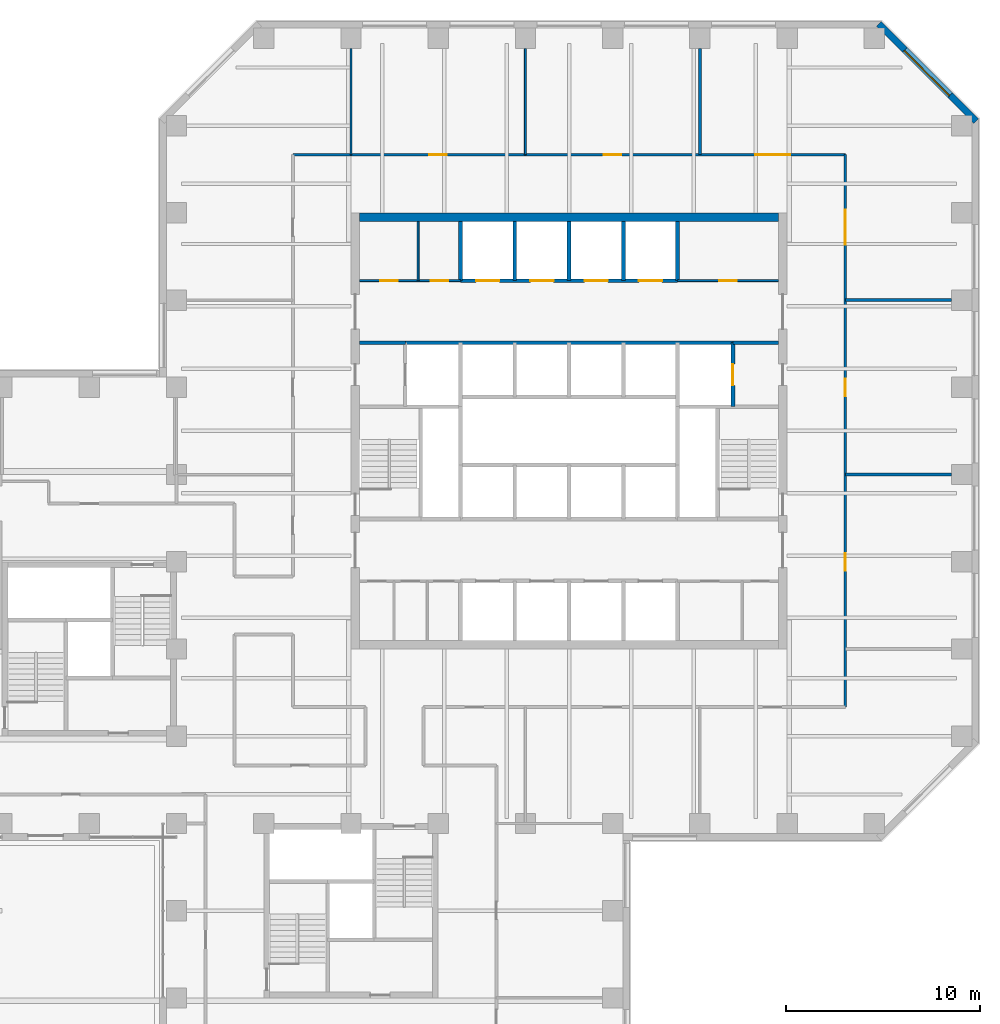
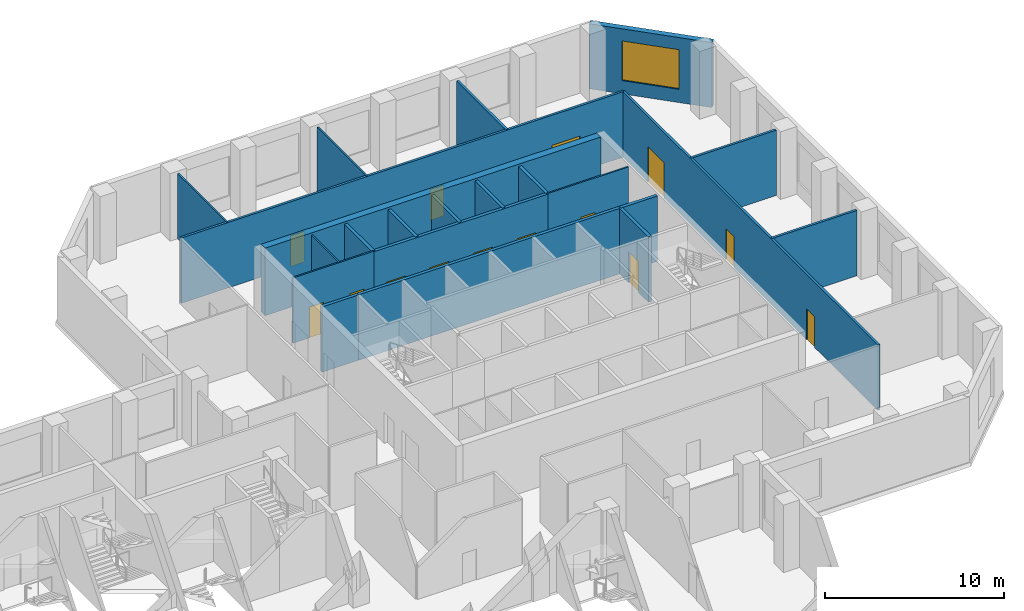
# One storey, part 10 of 14: 22 walls, 14 doors, 1 window, 15 openings.
"""IFC4 building model written with IfcOpenShell, lengths in metres."""

from ifc_helpers import new_model, si_unit, direction, frame, frame_2d, origin, place, context, subcontext, project, spatial, rectangle, extrude, material, layer, layer_set, constituent, constituent_set, type_object, element, fill, save


model = new_model("IFC4")

# Units and contexts
model_context = context("Model", 3, precision=1e-05, world=origin(), true_north=direction((0.0, 1.0)))
body_context = subcontext(model_context, "Body", "Model", "MODEL_VIEW")
ifc_project = project(units=[si_unit("LENGTHUNIT", "METRE"), si_unit("AREAUNIT", "SQUARE_METRE"), si_unit("VOLUMEUNIT", "CUBIC_METRE"), si_unit("PLANEANGLEUNIT", "RADIAN"), si_unit("MASSUNIT", "GRAM", prefix="KILO")], contexts=[model_context])

# Site, building, storey
site_placement = place(None, origin())
site = spatial("IfcSite", under=ifc_project, at=site_placement, CompositionType="ELEMENT")
building_placement = place(site_placement, origin())
building = spatial("IfcBuilding", under=site, at=building_placement, Name="Quoin Convention Tower", CompositionType="ELEMENT")
storey_placement = place(building_placement, frame((0.0, 0.0, 74.300048828125)))
storey = spatial("IfcBuildingStorey", under=building, at=storey_placement, Name="L19", CompositionType="ELEMENT", Elevation=74.300048828125)

# Wall, opening, window
ifc_material_1 = material(Name="Brick masonry", Category="masonry")
ifc_layer_1 = layer(ifc_material_1, 0.35009765625)
ifc_layer_set_1 = layer_set([ifc_layer_1], Name="Brick masonry")
wall_type_1 = type_object("IfcWallType", Name="Brick facade wall", PredefinedType="STANDARD", material=ifc_layer_set_1)
wall_1_placement = place(storey_placement, frame((77.251220703125, 76.73876953125, 0.0), z_axis=(0.0, 0.0, 1.0), x_axis=(-0.707106781187, 0.707106781187, 0.0)))
wall_1 = element("IfcWall", 1, at=wall_1_placement, inside=storey, type_object=wall_type_1, Name="fw-L19-76500_76500", PredefinedType="STANDARD", context=body_context, shape_type="SweptSolid", body=[
    extrude(rectangle(XDim=7.088623046875, YDim=0.35009765625, at=frame_2d((3.54443359375, 0.0))), origin(), (0.0, 0.0, 1.0), 4.425048828125),
])
opening_1_placement = place(wall_1_placement, frame((1.894287109375, 0.0, 0.89990234375)))
opening_1 = element("IfcOpeningElement", 2, at=opening_1_placement, cuts=wall_1, Name="Opening W-03", PredefinedType="OPENING", context=body_context, shape_type="SweptSolid", body=[
    extrude(rectangle(XDim=3.300048828125, YDim=2.699951171875, at=frame_2d((1.64990234375, 1.35009765625))), frame((0.0, 0.18505859375, 0.0), z_axis=(0.0, -1.0, 0.0), x_axis=(1.0, 0.0, 0.0)), (0.0, 0.0, 1.0), 0.3701171875),
])
ifc_material_2 = material(Name="Aluminium", Category="aluminium")
ifc_constituent_1 = constituent(ifc_material_2, Name="Frame")
ifc_material_3 = material(Name="Insulated glass", Category="glass")
ifc_constituent_2 = constituent(ifc_material_3, Name="Glazing")
ifc_constituent_set = constituent_set(constituents=[ifc_constituent_1, ifc_constituent_2], Name="Aluminium")
window_type = type_object("IfcWindowType", Name="Sky lobby window", PartitioningType="DOUBLE_PANEL_VERTICAL", PredefinedType="WINDOW", material=ifc_constituent_set)
window_placement = place(opening_1_placement, origin())
window = element("IfcWindow", 3, at=window_placement, inside=storey, type_object=window_type, Name="win-L19-74745_79245", OverallHeight=2.699951171875, OverallWidth=3.300048828125, PartitioningType="SINGLE_PANEL", PredefinedType="WINDOW", context=body_context, shape_type="SweptSolid", body=[
    extrude(rectangle(XDim=3.300048828125, YDim=2.699951171875, at=frame_2d((1.64990234375, 1.35009765625))), frame((0.0, 0.0849609375, 0.0), z_axis=(0.0, -1.0, 0.0), x_axis=(1.0, 0.0, 0.0)), (0.0, 0.0, 1.0), 0.06005859375),
])
fill(opening_1, window)

# Wall, openings, doors
ifc_material_4 = material(Name="Plasterboard")
ifc_layer_2 = layer(ifc_material_4, 0.012451171875, Name="Finish")
ifc_material_5 = material(Name="Steel stud framing", Category="steel")
ifc_layer_3 = layer(ifc_material_5, 0.074951171875, Name="Structure")
ifc_layer_4 = layer(ifc_material_4, 0.012451171875, Name="Finish")
ifc_layer_set_2 = layer_set([ifc_layer_2, ifc_layer_3, ifc_layer_4], Name="Steel stud framing")
wall_type_2 = type_object("IfcWallType", Name="Core partition wall", PredefinedType="PARTITIONING", material=ifc_layer_set_2)
wall_2_placement = place(storey_placement, frame((45.449951171875, 68.5, 0.0), z_axis=(0.0, 0.0, 1.0), x_axis=(1.0, 0.0, 0.0)))
wall_2 = element("IfcWall", 4, at=wall_2_placement, inside=storey, type_object=wall_type_2, Name="cr-C1-L19-h19000_450", PredefinedType="PARTITIONING", context=body_context, shape_type="SweptSolid", body=[
    extrude(rectangle(XDim=5.199951171875, YDim=0.10009765625, at=frame_2d((2.60009765625, 0.0))), origin(), (0.0, 0.0, 1.0), 4.449951171875),
])
opening_2_placement = place(wall_2_placement, frame((1.05810546875, 0.0, 0.0)))
opening_2 = element("IfcOpeningElement", 5, at=opening_2_placement, cuts=wall_2, Name="Opening DCV1-13", PredefinedType="OPENING", context=body_context, shape_type="SweptSolid", body=[
    extrude(rectangle(XDim=0.89990234375, YDim=2.10009765625, at=frame_2d((0.449951171875, 1.050048828125))), frame((0.0, 0.06005859375, 0.0), z_axis=(0.0, -1.0, 0.0), x_axis=(1.0, 0.0, 0.0)), (0.0, 0.0, 1.0), 0.1201171875),
])
opening_3_placement = place(wall_2_placement, frame((3.657958984375, 0.0, 0.0)))
opening_3 = element("IfcOpeningElement", 6, at=opening_3_placement, cuts=wall_2, Name="Opening DCV1-14", PredefinedType="OPENING", context=body_context, shape_type="SweptSolid", body=[
    extrude(rectangle(XDim=0.89990234375, YDim=2.10009765625, at=frame_2d((0.449951171875, 1.050048828125))), frame((0.0, 0.06005859375, 0.0), z_axis=(0.0, -1.0, 0.0), x_axis=(1.0, 0.0, 0.0)), (0.0, 0.0, 1.0), 0.1201171875),
])
ifc_material_6 = material(Name="Steel door leaf", Category="steel")
door_type_1 = type_object("IfcDoorType", Name="Core room door 900 x 2100", OperationType="SINGLE_SWING_LEFT", PredefinedType="DOOR", material=ifc_material_6)
door_1_placement = place(opening_2_placement, origin())
door_1 = element("IfcDoor", 7, at=door_1_placement, inside=storey, type_object=door_type_1, Name="cd-C1-L19-CNW0-lobB-CD1908", OperationType="SINGLE_SWING_RIGHT", OverallHeight=2.10009765625, OverallWidth=0.89990234375, PredefinedType="DOOR", context=body_context, shape_type="SweptSolid", body=[
    extrude(rectangle(XDim=0.89990234375, YDim=2.10009765625, at=frame_2d((0.449951171875, 1.050048828125))), frame((0.0, 0.02490234375, 0.0), z_axis=(0.0, -1.0, 0.0), x_axis=(1.0, 0.0, 0.0)), (0.0, 0.0, 1.0), 0.050048828125),
])
fill(opening_2, door_1)
door_2_placement = place(opening_3_placement, origin())
door_2 = element("IfcDoor", 8, at=door_2_placement, inside=storey, type_object=door_type_1, Name="cd-C1-L19-CNW1-lobB-CD1909", OperationType="SINGLE_SWING_RIGHT", OverallHeight=2.10009765625, OverallWidth=0.89990234375, PredefinedType="DOOR", context=body_context, shape_type="SweptSolid", body=[
    extrude(rectangle(XDim=0.89990234375, YDim=2.10009765625, at=frame_2d((0.449951171875, 1.050048828125))), frame((0.0, 0.02490234375, 0.0), z_axis=(0.0, -1.0, 0.0), x_axis=(1.0, 0.0, 0.0)), (0.0, 0.0, 1.0), 0.050048828125),
])
fill(opening_3, door_2)

# Wall, opening, door
wall_3_placement = place(storey_placement, frame((61.85009765625, 68.5, 0.0), z_axis=(0.0, 0.0, 1.0), x_axis=(1.0, 0.0, 0.0)))
wall_3 = element("IfcWall", 9, at=wall_3_placement, inside=storey, type_object=wall_type_2, Name="cr-C1-L19-h19000_16850", PredefinedType="PARTITIONING", context=body_context, shape_type="SweptSolid", body=[
    extrude(rectangle(XDim=5.199951171875, YDim=0.10009765625, at=frame_2d((2.60009765625, 0.0))), origin(), (0.0, 0.0, 1.0), 4.449951171875),
])
opening_4_placement = place(wall_3_placement, frame((2.14990234375, 0.0, 0.0)))
opening_4 = element("IfcOpeningElement", 10, at=opening_4_placement, cuts=wall_3, Name="Opening DCV1-03", PredefinedType="OPENING", context=body_context, shape_type="SweptSolid", body=[
    extrude(rectangle(XDim=0.89990234375, YDim=2.10009765625, at=frame_2d((0.449951171875, 1.050048828125))), frame((0.0, 0.06005859375, 0.0), z_axis=(0.0, -1.0, 0.0), x_axis=(1.0, 0.0, 0.0)), (0.0, 0.0, 1.0), 0.1201171875),
])
door_3_placement = place(opening_4_placement, origin())
door_3 = element("IfcDoor", 11, at=door_3_placement, inside=storey, type_object=door_type_1, Name="cd-C1-L19-CNE0-lobB-CD1907", OperationType="SINGLE_SWING_LEFT", OverallHeight=2.10009765625, OverallWidth=0.89990234375, PredefinedType="DOOR", context=body_context, shape_type="SweptSolid", body=[
    extrude(rectangle(XDim=0.89990234375, YDim=2.10009765625, at=frame_2d((0.449951171875, 1.050048828125))), frame((0.0, 0.02490234375, 0.0), z_axis=(0.0, -1.0, 0.0), x_axis=(1.0, 0.0, 0.0)), (0.0, 0.0, 1.0), 0.050048828125),
])
fill(opening_4, door_3)

# Walls
wall_4_placement = place(storey_placement, frame((48.466064453125, 68.5, 0.0), z_axis=(0.0, 0.0, 1.0), x_axis=(0.0, 1.0, 0.0)))
element("IfcWall", 12, at=wall_4_placement, inside=storey, type_object=wall_type_2, Name="cr-C1-L19-v3466_19000", PredefinedType="PARTITIONING", context=body_context, shape_type="SweptSolid", body=[
    extrude(rectangle(XDim=3.050048828125, YDim=0.10009765625, at=frame_2d((1.52490234375, 0.0))), origin(), (0.0, 0.0, 1.0), 4.449951171875),
])
ifc_material_7 = material(Name="Concrete C50", Category="concrete")
ifc_layer_5 = layer(ifc_material_7, 0.199951171875)
ifc_layer_set_3 = layer_set([ifc_layer_5], Name="Concrete C50")
wall_type_3 = type_object("IfcWallType", Name="Core shaft wall", PredefinedType="SOLIDWALL", material=ifc_layer_set_3)
for number, where, z_axis, x_axis, name in (
    (13, (45.449951171875, 65.300048828125, 0.0), (0.0, 0.0, 1.0), (1.0, 0.0, 0.0), "cr-C1-L19-h15800_450"),
    (14, (64.699951171875, 65.300048828125, 0.0), (0.0, 0.0, 1.0), (1.0, 0.0, 0.0), "cr-C1-L19-h15800_19700"),
):
    element("IfcWall", number, at=place(storey_placement, frame(where, z_axis=z_axis, x_axis=x_axis)), inside=storey, type_object=wall_type_3, Name=name, PredefinedType="SOLIDWALL", context=body_context, shape_type="SweptSolid", body=[
        extrude(rectangle(XDim=2.35009765625, YDim=0.199951171875, at=frame_2d((1.175048828125, 0.0))), origin(), (0.0, 0.0, 1.0), 4.449951171875),
    ])
wall_5_placement = place(storey_placement, frame((47.800048828125, 65.300048828125, 0.0), z_axis=(0.0, 0.0, 1.0), x_axis=(1.0, 0.0, 0.0)))
element("IfcWall", 15, at=wall_5_placement, inside=storey, type_object=wall_type_3, Name="cr-C1-L19-h15800_2800", PredefinedType="SOLIDWALL", context=body_context, shape_type="SweptSolid", body=[
    extrude(rectangle(XDim=16.89990234375, YDim=0.199951171875, at=frame_2d((8.449951171875, 0.0))), origin(), (0.0, 0.0, 1.0), 4.449951171875),
])

# Wall, openings, doors
wall_6_placement = place(storey_placement, frame((50.64990234375, 68.5, 0.0), z_axis=(0.0, 0.0, 1.0), x_axis=(1.0, 0.0, 0.0)))
wall_6 = element("IfcWall", 16, at=wall_6_placement, inside=storey, type_object=wall_type_3, Name="cr-C1-L19-h19000_5650", PredefinedType="SOLIDWALL", context=body_context, shape_type="SweptSolid", body=[
    extrude(rectangle(XDim=11.2001953125, YDim=0.199951171875, at=frame_2d((5.60009765625, 0.0))), origin(), (0.0, 0.0, 1.0), 4.449951171875),
])
opening_5_placement = place(wall_6_placement, frame((0.800048828125, 0.0, 0.0)))
opening_5 = element("IfcOpeningElement", 17, at=opening_5_placement, cuts=wall_6, Name="Opening LDL5", PredefinedType="OPENING", context=body_context, shape_type="SweptSolid", body=[
    extrude(rectangle(XDim=1.199951171875, YDim=2.10009765625, at=frame_2d((0.60009765625, 1.050048828125))), frame((0.0, 0.10986328125, 0.0), z_axis=(0.0, -1.0, 0.0), x_axis=(1.0, 0.0, 0.0)), (0.0, 0.0, 1.0), 0.219970703125),
])
opening_6_placement = place(wall_6_placement, frame((3.60009765625, 0.0, 0.0)))
opening_6 = element("IfcOpeningElement", 18, at=opening_6_placement, cuts=wall_6, Name="Opening LDL6", PredefinedType="OPENING", context=body_context, shape_type="SweptSolid", body=[
    extrude(rectangle(XDim=1.199951171875, YDim=2.10009765625, at=frame_2d((0.60009765625, 1.050048828125))), frame((0.0, 0.10986328125, 0.0), z_axis=(0.0, -1.0, 0.0), x_axis=(1.0, 0.0, 0.0)), (0.0, 0.0, 1.0), 0.219970703125),
])
opening_7_placement = place(wall_6_placement, frame((6.39990234375, 0.0, 0.0)))
opening_7 = element("IfcOpeningElement", 19, at=opening_7_placement, cuts=wall_6, Name="Opening LDL7", PredefinedType="OPENING", context=body_context, shape_type="SweptSolid", body=[
    extrude(rectangle(XDim=1.199951171875, YDim=2.10009765625, at=frame_2d((0.60009765625, 1.050048828125))), frame((0.0, 0.10986328125, 0.0), z_axis=(0.0, -1.0, 0.0), x_axis=(1.0, 0.0, 0.0)), (0.0, 0.0, 1.0), 0.219970703125),
])
opening_8_placement = place(wall_6_placement, frame((9.199951171875, 0.0, 0.0)))
opening_8 = element("IfcOpeningElement", 20, at=opening_8_placement, cuts=wall_6, Name="Opening LDL8", PredefinedType="OPENING", context=body_context, shape_type="SweptSolid", body=[
    extrude(rectangle(XDim=1.199951171875, YDim=2.10009765625, at=frame_2d((0.60009765625, 1.050048828125))), frame((0.0, 0.10986328125, 0.0), z_axis=(0.0, -1.0, 0.0), x_axis=(1.0, 0.0, 0.0)), (0.0, 0.0, 1.0), 0.219970703125),
])
door_type_2 = type_object("IfcDoorType", Name="Lift landing door 1200 x 2100", OperationType="DOUBLE_DOOR_SLIDING", PredefinedType="DOOR", material=ifc_material_6)
door_4_placement = place(opening_5_placement, origin())
door_4 = element("IfcDoor", 21, at=door_4_placement, inside=storey, type_object=door_type_2, Name="cd-C1-L19-R40-lobB-LDL5", OperationType="DOUBLE_DOOR_SLIDING", OverallHeight=2.10009765625, OverallWidth=1.199951171875, PredefinedType="DOOR", context=body_context, shape_type="SweptSolid", body=[
    extrude(rectangle(XDim=1.199951171875, YDim=2.10009765625, at=frame_2d((0.60009765625, 1.050048828125))), frame((0.0, 0.02490234375, 0.0), z_axis=(0.0, -1.0, 0.0), x_axis=(1.0, 0.0, 0.0)), (0.0, 0.0, 1.0), 0.050048828125),
])
fill(opening_5, door_4)
door_5_placement = place(opening_6_placement, origin())
door_5 = element("IfcDoor", 22, at=door_5_placement, inside=storey, type_object=door_type_2, Name="cd-C1-L19-R41-lobB-LDL6", OperationType="DOUBLE_DOOR_SLIDING", OverallHeight=2.10009765625, OverallWidth=1.199951171875, PredefinedType="DOOR", context=body_context, shape_type="SweptSolid", body=[
    extrude(rectangle(XDim=1.199951171875, YDim=2.10009765625, at=frame_2d((0.60009765625, 1.050048828125))), frame((0.0, 0.02490234375, 0.0), z_axis=(0.0, -1.0, 0.0), x_axis=(1.0, 0.0, 0.0)), (0.0, 0.0, 1.0), 0.050048828125),
])
fill(opening_6, door_5)
door_6_placement = place(opening_7_placement, origin())
door_6 = element("IfcDoor", 23, at=door_6_placement, inside=storey, type_object=door_type_2, Name="cd-C1-L19-R42-lobB-LDL7", OperationType="DOUBLE_DOOR_SLIDING", OverallHeight=2.10009765625, OverallWidth=1.199951171875, PredefinedType="DOOR", context=body_context, shape_type="SweptSolid", body=[
    extrude(rectangle(XDim=1.199951171875, YDim=2.10009765625, at=frame_2d((0.60009765625, 1.050048828125))), frame((0.0, 0.02490234375, 0.0), z_axis=(0.0, -1.0, 0.0), x_axis=(1.0, 0.0, 0.0)), (0.0, 0.0, 1.0), 0.050048828125),
])
fill(opening_7, door_6)
door_7_placement = place(opening_8_placement, origin())
door_7 = element("IfcDoor", 24, at=door_7_placement, inside=storey, type_object=door_type_2, Name="cd-C1-L19-R43-lobB-LDL8", OperationType="DOUBLE_DOOR_SLIDING", OverallHeight=2.10009765625, OverallWidth=1.199951171875, PredefinedType="DOOR", context=body_context, shape_type="SweptSolid", body=[
    extrude(rectangle(XDim=1.199951171875, YDim=2.10009765625, at=frame_2d((0.60009765625, 1.050048828125))), frame((0.0, 0.02490234375, 0.0), z_axis=(0.0, -1.0, 0.0), x_axis=(1.0, 0.0, 0.0)), (0.0, 0.0, 1.0), 0.050048828125),
])
fill(opening_8, door_7)

# Walls
for number, where, z_axis, x_axis, name in (
    (25, (50.64990234375, 68.5, 0.0), (0.0, 0.0, 1.0), (0.0, 1.0, 0.0), "cr-C1-L19-v5650_19000"),
    (26, (53.449951171875, 68.5, 0.0), (0.0, 0.0, 1.0), (0.0, 1.0, 0.0), "cr-C1-L19-v8450_19000"),
    (27, (56.25, 68.5, 0.0), (0.0, 0.0, 1.0), (0.0, 1.0, 0.0), "cr-C1-L19-v11250_19000"),
    (28, (59.050048828125, 68.5, 0.0), (0.0, 0.0, 1.0), (0.0, 1.0, 0.0), "cr-C1-L19-v14050_19000"),
    (29, (61.85009765625, 68.5, 0.0), (0.0, 0.0, 1.0), (0.0, 1.0, 0.0), "cr-C1-L19-v16850_19000"),
):
    element("IfcWall", number, at=place(storey_placement, frame(where, z_axis=z_axis, x_axis=x_axis)), inside=storey, type_object=wall_type_3, Name=name, PredefinedType="SOLIDWALL", context=body_context, shape_type="SweptSolid", body=[
        extrude(rectangle(XDim=3.050048828125, YDim=0.199951171875, at=frame_2d((1.52490234375, 0.0))), origin(), (0.0, 0.0, 1.0), 4.449951171875),
    ])

# Wall, opening, door
wall_7_placement = place(storey_placement, frame((64.699951171875, 62.0, 0.0), z_axis=(0.0, 0.0, 1.0), x_axis=(0.0, 1.0, 0.0)))
wall_7 = element("IfcWall", 30, at=wall_7_placement, inside=storey, type_object=wall_type_3, Name="cr-C1-L19-v19700_12500", PredefinedType="SOLIDWALL", context=body_context, shape_type="SweptSolid", body=[
    extrude(rectangle(XDim=3.300048828125, YDim=0.199951171875, at=frame_2d((1.64990234375, 0.0))), origin(), (0.0, 0.0, 1.0), 4.449951171875),
])
opening_9_placement = place(wall_7_placement, frame((1.10009765625, 0.0, 0.0)))
opening_9 = element("IfcOpeningElement", 31, at=opening_9_placement, cuts=wall_7, Name="Opening LDFL2", PredefinedType="OPENING", context=body_context, shape_type="SweptSolid", body=[
    extrude(rectangle(XDim=1.10009765625, YDim=2.10009765625, at=frame_2d((0.550048828125, 1.050048828125))), frame((0.0, 0.10986328125, 0.0), z_axis=(0.0, -1.0, 0.0), x_axis=(1.0, 0.0, 0.0)), (0.0, 0.0, 1.0), 0.219970703125),
])
door_type_3 = type_object("IfcDoorType", Name="Lift landing door 1100 x 2100", OperationType="DOUBLE_DOOR_SLIDING", PredefinedType="DOOR", material=ifc_material_6)
door_8_placement = place(opening_9_placement, origin())
door_8 = element("IfcDoor", 32, at=door_8_placement, inside=storey, type_object=door_type_3, Name="cd-C1-L19-FLE-FFE-LDFL2", OperationType="DOUBLE_DOOR_SLIDING", OverallHeight=2.10009765625, OverallWidth=1.10009765625, PredefinedType="DOOR", context=body_context, shape_type="SweptSolid", body=[
    extrude(rectangle(XDim=1.10009765625, YDim=2.10009765625, at=frame_2d((0.550048828125, 1.050048828125))), frame((0.0, 0.02490234375, 0.0), z_axis=(0.0, -1.0, 0.0), x_axis=(1.0, 0.0, 0.0)), (0.0, 0.0, 1.0), 0.050048828125),
])
fill(opening_9, door_8)

# Walls
ifc_material_8 = material(Name="Concrete C65", Category="concrete")
ifc_layer_6 = layer(ifc_material_8, 0.449951171875)
ifc_layer_set_4 = layer_set([ifc_layer_6], Name="Concrete C65")
wall_type_4 = type_object("IfcWallType", Name="RC CORE WALL 450 C65", PredefinedType="SHEAR", material=ifc_layer_set_4)
wall_8_placement = place(storey_placement, frame((45.449951171875, 71.77490234375, 0.0), z_axis=(0.0, 0.0, 1.0), x_axis=(1.0, 0.0, 0.0)))
element("IfcWall", 33, at=wall_8_placement, inside=storey, type_object=wall_type_4, Name="cwl-C1-L19-N", PredefinedType="SHEAR", context=body_context, shape_type="SweptSolid", body=[
    extrude(rectangle(XDim=21.60009765625, YDim=0.449951171875, at=frame_2d((10.800048828125, 0.0))), origin(), (0.0, 0.0, 1.0), 4.599853515625),
])
ifc_layer_7 = layer(ifc_material_4, 0.012451171875, Name="Finish")
ifc_layer_8 = layer(ifc_material_5, 0.074951171875, Name="Structure")
ifc_layer_9 = layer(ifc_material_4, 0.012451171875, Name="Finish")
ifc_layer_set_5 = layer_set([ifc_layer_7, ifc_layer_8, ifc_layer_9], Name="Steel stud framing")
wall_type_5 = type_object("IfcWallType", Name="bathroom partition", PredefinedType="PARTITIONING", material=ifc_layer_set_5)
for number, where, z_axis, x_axis, name in (
    (34, (45.0, 75.0, 0.0), (0.0, 0.0, 1.0), (0.0, 1.0, 0.0), "pw-L19-008"),
    (35, (54.0, 75.0, 0.0), (0.0, 0.0, 1.0), (0.0, 1.0, 0.0), "pw-L19-009"),
):
    element("IfcWall", number, at=place(storey_placement, frame(where, z_axis=z_axis, x_axis=x_axis)), inside=storey, type_object=wall_type_5, Name=name, PredefinedType="PARTITIONING", context=body_context, shape_type="SweptSolid", body=[
        extrude(rectangle(XDim=5.47509765625, YDim=0.10009765625, at=frame_2d((2.737548828125, 0.0))), origin(), (0.0, 0.0, 1.0), 4.449951171875),
    ])

# Wall, openings, doors
ifc_layer_10 = layer(ifc_material_4, 0.012451171875, Name="Finish")
ifc_layer_11 = layer(ifc_material_5, 0.125, Name="Structure")
ifc_layer_12 = layer(ifc_material_4, 0.012451171875, Name="Finish")
ifc_layer_set_6 = layer_set([ifc_layer_10, ifc_layer_11, ifc_layer_12], Name="Steel stud framing")
wall_type_6 = type_object("IfcWallType", Name="corridor partition", PredefinedType="PARTITIONING", material=ifc_layer_set_6)
wall_9_placement = place(storey_placement, frame((70.5, 46.5, 0.0), z_axis=(0.0, 0.0, 1.0), x_axis=(0.0, 1.0, 0.0)))
wall_9 = element("IfcWall", 36, at=wall_9_placement, inside=storey, type_object=wall_type_6, Name="pw-L19-023", PredefinedType="PARTITIONING", context=body_context, shape_type="SweptSolid", body=[
    extrude(rectangle(XDim=28.5, YDim=0.14990234375, at=frame_2d((14.25, 0.0))), origin(), (0.0, 0.0, 1.0), 4.449951171875),
])
opening_10_placement = place(wall_9_placement, frame((7.050048828125, 0.0, 0.0)))
opening_10 = element("IfcOpeningElement", 37, at=opening_10_placement, cuts=wall_9, Name="Opening DSKY-19-10", PredefinedType="OPENING", context=body_context, shape_type="SweptSolid", body=[
    extrude(rectangle(XDim=0.89990234375, YDim=2.10009765625, at=frame_2d((0.449951171875, 1.050048828125))), frame((0.0, 0.0849609375, 0.0), z_axis=(0.0, -1.0, 0.0), x_axis=(1.0, 0.0, 0.0)), (0.0, 0.0, 1.0), 0.169921875),
])
opening_11_placement = place(wall_9_placement, frame((16.050048828125, 0.0, 0.0)))
opening_11 = element("IfcOpeningElement", 38, at=opening_11_placement, cuts=wall_9, Name="Opening DSKY-19-11", PredefinedType="OPENING", context=body_context, shape_type="SweptSolid", body=[
    extrude(rectangle(XDim=0.89990234375, YDim=2.10009765625, at=frame_2d((0.449951171875, 1.050048828125))), frame((0.0, 0.0849609375, 0.0), z_axis=(0.0, -1.0, 0.0), x_axis=(1.0, 0.0, 0.0)), (0.0, 0.0, 1.0), 0.169921875),
])
opening_12_placement = place(wall_9_placement, frame((23.85009765625, 0.0, 0.0)))
opening_12 = element("IfcOpeningElement", 39, at=opening_12_placement, cuts=wall_9, Name="Opening DSKY-19-12", PredefinedType="OPENING", context=body_context, shape_type="SweptSolid", body=[
    extrude(rectangle(XDim=1.800048828125, YDim=2.39990234375, at=frame_2d((0.89990234375, 1.199951171875))), frame((0.0, 0.0849609375, 0.0), z_axis=(0.0, -1.0, 0.0), x_axis=(1.0, 0.0, 0.0)), (0.0, 0.0, 1.0), 0.169921875),
])
door_type_4 = type_object("IfcDoorType", Name="Glazed double door", OperationType="DOUBLE_DOOR_SINGLE_SWING", PredefinedType="DOOR", material=ifc_material_6)
door_9_placement = place(opening_12_placement, frame((1.800048828125, 0.0, 0.0), z_axis=(0.0, 0.0, 1.0), x_axis=(-1.0, 0.0, 0.0)))
door_9 = element("IfcDoor", 40, at=door_9_placement, inside=storey, type_object=door_type_4, Name="dr-L19-018", OperationType="DOUBLE_DOOR_SINGLE_SWING", OverallHeight=2.39990234375, OverallWidth=1.800048828125, PredefinedType="DOOR", context=body_context, shape_type="SweptSolid", body=[
    extrude(rectangle(XDim=1.800048828125, YDim=2.39990234375, at=frame_2d((0.89990234375, 1.199951171875))), frame((0.0, 0.02490234375, 0.0), z_axis=(0.0, -1.0, 0.0), x_axis=(1.0, 0.0, 0.0)), (0.0, 0.0, 1.0), 0.050048828125),
])
fill(opening_12, door_9)
door_type_5 = type_object("IfcDoorType", Name="Service room door", OperationType="SINGLE_SWING_LEFT", PredefinedType="DOOR", material=ifc_material_6)
door_10_placement = place(opening_11_placement, frame((0.89990234375, 0.0, 0.0), z_axis=(0.0, 0.0, 1.0), x_axis=(-1.0, 0.0, 0.0)))
door_10 = element("IfcDoor", 41, at=door_10_placement, inside=storey, type_object=door_type_5, Name="dr-L19-016", OperationType="SINGLE_SWING_LEFT", OverallHeight=2.10009765625, OverallWidth=0.89990234375, PredefinedType="DOOR", context=body_context, shape_type="SweptSolid", body=[
    extrude(rectangle(XDim=0.89990234375, YDim=2.10009765625, at=frame_2d((0.449951171875, 1.050048828125))), frame((0.0, 0.02490234375, 0.0), z_axis=(0.0, -1.0, 0.0), x_axis=(1.0, 0.0, 0.0)), (0.0, 0.0, 1.0), 0.050048828125),
])
fill(opening_11, door_10)
door_type_6 = type_object("IfcDoorType", Name="Single room door", OperationType="SINGLE_SWING_RIGHT", PredefinedType="DOOR", material=ifc_material_6)
door_11_placement = place(opening_10_placement, frame((0.89990234375, 0.0, 0.0), z_axis=(0.0, 0.0, 1.0), x_axis=(-1.0, 0.0, 0.0)))
door_11 = element("IfcDoor", 42, at=door_11_placement, inside=storey, type_object=door_type_6, Name="dr-L19-010", OperationType="SINGLE_SWING_LEFT", OverallHeight=2.10009765625, OverallWidth=0.89990234375, PredefinedType="DOOR", context=body_context, shape_type="SweptSolid", body=[
    extrude(rectangle(XDim=0.89990234375, YDim=2.10009765625, at=frame_2d((0.449951171875, 1.050048828125))), frame((0.0, 0.02490234375, 0.0), z_axis=(0.0, -1.0, 0.0), x_axis=(1.0, 0.0, 0.0)), (0.0, 0.0, 1.0), 0.050048828125),
])
fill(opening_10, door_11)

wall_10_placement = place(storey_placement, frame((42.0, 75.0, 0.0), z_axis=(0.0, 0.0, 1.0), x_axis=(1.0, 0.0, 0.0)))
wall_10 = element("IfcWall", 43, at=wall_10_placement, inside=storey, type_object=wall_type_6, Name="pw-L19-029", PredefinedType="PARTITIONING", context=body_context, shape_type="SweptSolid", body=[
    extrude(rectangle(XDim=28.5, YDim=0.14990234375, at=frame_2d((14.25, 0.0))), origin(), (0.0, 0.0, 1.0), 4.449951171875),
])
opening_13_placement = place(wall_10_placement, frame((23.85009765625, 0.0, 0.0)))
opening_13 = element("IfcOpeningElement", 44, at=opening_13_placement, cuts=wall_10, Name="Opening DSKY-19-19", PredefinedType="OPENING", context=body_context, shape_type="SweptSolid", body=[
    extrude(rectangle(XDim=1.800048828125, YDim=2.39990234375, at=frame_2d((0.89990234375, 1.199951171875))), frame((0.0, 0.0849609375, 0.0), z_axis=(0.0, -1.0, 0.0), x_axis=(1.0, 0.0, 0.0)), (0.0, 0.0, 1.0), 0.169921875),
])
opening_14_placement = place(wall_10_placement, frame((7.050048828125, 0.0, 0.0)))
opening_14 = element("IfcOpeningElement", 45, at=opening_14_placement, cuts=wall_10, Name="Opening DSKY-19-17", PredefinedType="OPENING", context=body_context, shape_type="SweptSolid", body=[
    extrude(rectangle(XDim=0.89990234375, YDim=2.10009765625, at=frame_2d((0.449951171875, 1.050048828125))), frame((0.0, 0.0849609375, 0.0), z_axis=(0.0, -1.0, 0.0), x_axis=(1.0, 0.0, 0.0)), (0.0, 0.0, 1.0), 0.169921875),
])
opening_15_placement = place(wall_10_placement, frame((16.050048828125, 0.0, 0.0)))
opening_15 = element("IfcOpeningElement", 46, at=opening_15_placement, cuts=wall_10, Name="Opening DSKY-19-18", PredefinedType="OPENING", context=body_context, shape_type="SweptSolid", body=[
    extrude(rectangle(XDim=0.89990234375, YDim=2.10009765625, at=frame_2d((0.449951171875, 1.050048828125))), frame((0.0, 0.0849609375, 0.0), z_axis=(0.0, -1.0, 0.0), x_axis=(1.0, 0.0, 0.0)), (0.0, 0.0, 1.0), 0.169921875),
])
door_12_placement = place(opening_13_placement, origin())
door_12 = element("IfcDoor", 47, at=door_12_placement, inside=storey, type_object=door_type_4, Name="dr-L19-019", OperationType="DOUBLE_DOOR_SINGLE_SWING", OverallHeight=2.39990234375, OverallWidth=1.800048828125, PredefinedType="DOOR", context=body_context, shape_type="SweptSolid", body=[
    extrude(rectangle(XDim=1.800048828125, YDim=2.39990234375, at=frame_2d((0.89990234375, 1.199951171875))), frame((0.0, 0.02490234375, 0.0), z_axis=(0.0, -1.0, 0.0), x_axis=(1.0, 0.0, 0.0)), (0.0, 0.0, 1.0), 0.050048828125),
])
fill(opening_13, door_12)
door_13_placement = place(opening_15_placement, origin())
door_13 = element("IfcDoor", 48, at=door_13_placement, inside=storey, type_object=door_type_6, Name="dr-L19-021", OperationType="SINGLE_SWING_RIGHT", OverallHeight=2.10009765625, OverallWidth=0.89990234375, PredefinedType="DOOR", context=body_context, shape_type="SweptSolid", body=[
    extrude(rectangle(XDim=0.89990234375, YDim=2.10009765625, at=frame_2d((0.449951171875, 1.050048828125))), frame((0.0, 0.02490234375, 0.0), z_axis=(0.0, -1.0, 0.0), x_axis=(1.0, 0.0, 0.0)), (0.0, 0.0, 1.0), 0.050048828125),
])
fill(opening_15, door_13)
door_type_7 = type_object("IfcDoorType", Name="Toilet door", OperationType="SINGLE_SWING_LEFT", PredefinedType="DOOR", material=ifc_material_6)
door_14_placement = place(opening_14_placement, origin())
door_14 = element("IfcDoor", 49, at=door_14_placement, inside=storey, type_object=door_type_7, Name="dr-L19-020", OperationType="SINGLE_SWING_RIGHT", OverallHeight=2.10009765625, OverallWidth=0.89990234375, PredefinedType="DOOR", context=body_context, shape_type="SweptSolid", body=[
    extrude(rectangle(XDim=0.89990234375, YDim=2.10009765625, at=frame_2d((0.449951171875, 1.050048828125))), frame((0.0, 0.02490234375, 0.0), z_axis=(0.0, -1.0, 0.0), x_axis=(1.0, 0.0, 0.0)), (0.0, 0.0, 1.0), 0.050048828125),
])
fill(opening_14, door_14)

# Walls
ifc_layer_13 = layer(ifc_material_4, 0.012451171875, Name="Finish")
ifc_layer_14 = layer(ifc_material_5, 0.125, Name="Structure")
ifc_layer_15 = layer(ifc_material_4, 0.012451171875, Name="Finish")
ifc_layer_set_7 = layer_set([ifc_layer_13, ifc_layer_14, ifc_layer_15], Name="Steel stud framing")
wall_type_7 = type_object("IfcWallType", Name="room partition", PredefinedType="PARTITIONING", material=ifc_layer_set_7)
for number, where, z_axis, x_axis, name in (
    (50, (70.5, 58.5, 0.0), (0.0, 0.0, 1.0), (1.0, 0.0, 0.0), "pw-L19-036"),
    (51, (70.5, 67.5, 0.0), (0.0, 0.0, 1.0), (1.0, 0.0, 0.0), "pw-L19-037"),
    (52, (63.0, 75.0, 0.0), (0.0, 0.0, 1.0), (0.0, 1.0, 0.0), "pw-L19-038"),
):
    element("IfcWall", number, at=place(storey_placement, frame(where, z_axis=z_axis, x_axis=x_axis)), inside=storey, type_object=wall_type_7, Name=name, PredefinedType="PARTITIONING", context=body_context, shape_type="SweptSolid", body=[
        extrude(rectangle(XDim=5.47509765625, YDim=0.14990234375, at=frame_2d((2.737548828125, 0.0))), origin(), (0.0, 0.0, 1.0), 4.449951171875),
    ])

save(model, "model.ifc")
